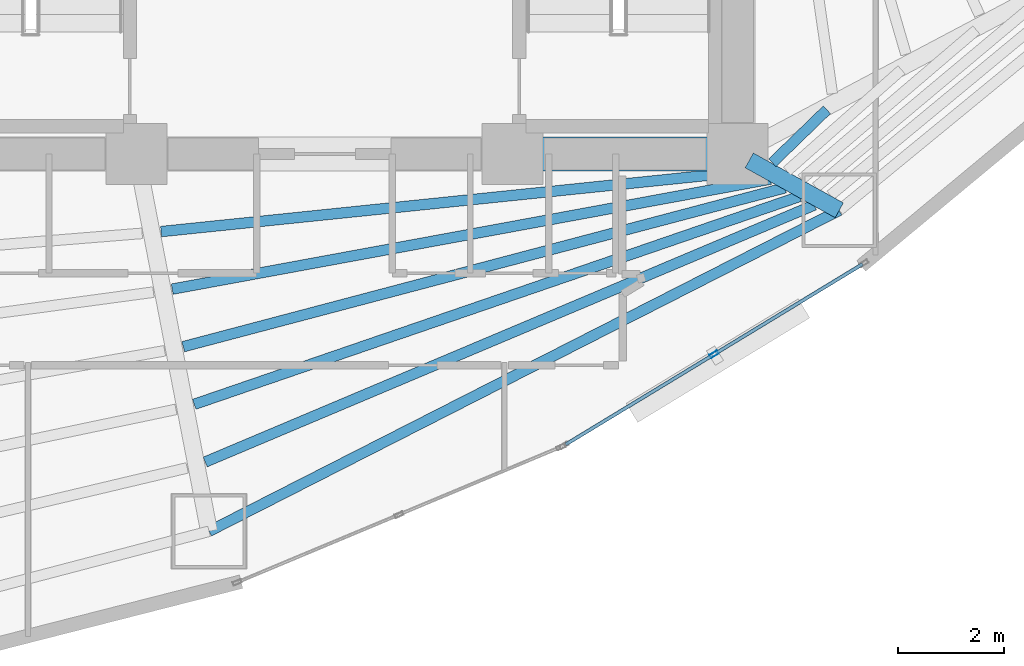
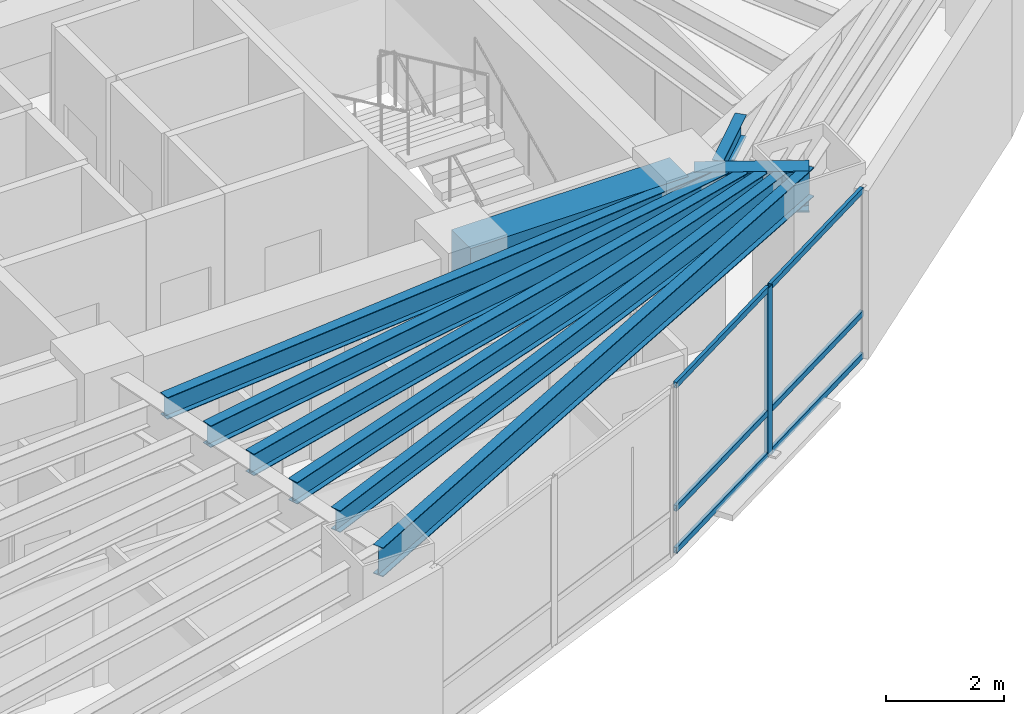
# One storey, part 5 of 17: 9 beams, 7 members, 1 element without a shape of its own.
"""IFC4 building model written with IfcOpenShell, lengths in metres."""

from ifc_helpers import new_model, si_unit, direction, frame, origin, origin_2d, place, context, subcontext, project, spatial, rectangle, hollow_rectangle, i_section, extrude, material, layer, layer_set, material_profile, profile_set, type_object, element, aggregate, save


model = new_model("IFC4")

# Units and contexts
model_context = context("Model", 3, precision=1e-05, world=origin(), true_north=direction((0.0, 1.0)))
body_context = subcontext(model_context, "Body", "Model", "MODEL_VIEW")
ifc_project = project(units=[si_unit("LENGTHUNIT", "METRE"), si_unit("AREAUNIT", "SQUARE_METRE"), si_unit("VOLUMEUNIT", "CUBIC_METRE"), si_unit("PLANEANGLEUNIT", "RADIAN"), si_unit("MASSUNIT", "GRAM", prefix="KILO")], contexts=[model_context])

# Site, building, storey
site_placement = place(None, origin())
site = spatial("IfcSite", under=ifc_project, at=site_placement, CompositionType="ELEMENT")
building_placement = place(site_placement, origin())
building = spatial("IfcBuilding", under=site, at=building_placement, Name="Menara Vayukalpa", CompositionType="ELEMENT")
storey_placement = place(building_placement, frame((0.0, 0.0, 49.919921875)))
storey = spatial("IfcBuildingStorey", under=building, at=storey_placement, Name="L11", CompositionType="ELEMENT", Elevation=49.919921875)

# Beams
ifc_material_1 = material(Name="Concrete C60/75", Category="concrete")
ifc_material_profile_1 = material_profile(ifc_material_1, rectangle(XDim=0.64990234375, YDim=0.85009765625, at=origin_2d()), Name="RC 650x850")
ifc_profile_set_1 = profile_set([ifc_material_profile_1], Name="Concrete C60/75")
beam_type_1 = type_object("IfcBeamType", Name="BM-CB1", PredefinedType="BEAM", material=ifc_profile_set_1)
beam_1_placement = place(storey_placement, frame((29.14990234375, 17.199951171875, 3.045166015625), z_axis=(1.0, 0.0, 0.0), x_axis=(0.0, 1.0, 0.0)))
element("IfcBeam", 1, at=beam_1_placement, inside=storey, type_object=beam_type_1, Name="L11 Core Tie Beam CBR3", PredefinedType="BEAM", context=body_context, shape_type="SweptSolid", body=[
    extrude(rectangle(XDim=0.64990234375, YDim=0.85009765625, at=origin_2d()), origin(), (0.0, 0.0, 1.0), 4.25),
])
ifc_material_2 = material(Name="Steel S355", Category="steel")
ifc_material_profile_2 = material_profile(ifc_material_2, i_section(OverallWidth=0.320068359375, OverallDepth=0.85009765625, WebThickness=0.01611328125, FlangeThickness=0.030029296875, at=origin_2d()), Name="WF 850x320x16x30")
ifc_profile_set_2 = profile_set([ifc_material_profile_2], Name="Steel S355")
beam_type_2 = type_object("IfcBeamType", Name="BM-PG2", PredefinedType="BEAM", material=ifc_profile_set_2)
beam_2_placement = place(storey_placement, frame((33.61865234375, 17.078857421875, 3.045166015625), z_axis=(0.87459548214, -0.484853320727, 0.0), x_axis=(0.484853320727, 0.87459548214, 0.0)))
element("IfcBeam", 2, at=beam_2_placement, inside=storey, type_object=beam_type_2, Name="L11 Primary Radial Girder RG09", PredefinedType="BEAM", context=body_context, shape_type="SweptSolid", body=[
    extrude(i_section(OverallWidth=0.320068359375, OverallDepth=0.85009765625, WebThickness=0.01611328125, FlangeThickness=0.030029296875, at=origin_2d()), origin(), (0.0, 0.0, 1.0), 1.943115234375),
])
ifc_material_3 = material(Name="Steel S355", Category="steel")
ifc_material_profile_3 = material_profile(ifc_material_3, i_section(OverallWidth=0.199951171875, OverallDepth=0.449951171875, WebThickness=0.009033203125, FlangeThickness=0.013916015625, at=origin_2d()), Name="WF 450x200x9x14")
ifc_profile_set_3 = profile_set([ifc_material_profile_3], Name="Steel S355")
beam_type_3 = type_object("IfcBeamType", Name="BM-SJ1", PredefinedType="JOIST", material=ifc_profile_set_3)
beam_3_placement = place(storey_placement, frame((22.514404296875, 15.735107421875, 3.2451171875), z_axis=(0.994746828953, 0.102365747631, 0.0), x_axis=(-0.102365747631, 0.994746828953, 0.0)))
element("IfcBeam", 3, at=beam_3_placement, inside=storey, type_object=beam_type_3, Name="L11 Secondary Floor Joist SJ08-1", PredefinedType="JOIST", context=body_context, shape_type="SweptSolid", body=[
    extrude(i_section(OverallWidth=0.199951171875, OverallDepth=0.449951171875, WebThickness=0.009033203125, FlangeThickness=0.013916015625, at=origin_2d()), origin(), (0.0, 0.0, 1.0), 11.29052734375),
])
beam_4_placement = place(storey_placement, frame((22.723876953125, 14.648681640625, 3.2451171875), z_axis=(0.983504975359, 0.180881075419, 0.0), x_axis=(-0.180881075419, 0.983504975359, 0.0)))
element("IfcBeam", 4, at=beam_4_placement, inside=storey, type_object=beam_type_3, Name="L11 Secondary Floor Joist SJ08-2", PredefinedType="JOIST", context=body_context, shape_type="SweptSolid", body=[
    extrude(i_section(OverallWidth=0.199951171875, OverallDepth=0.449951171875, WebThickness=0.009033203125, FlangeThickness=0.013916015625, at=origin_2d()), origin(), (0.0, 0.0, 1.0), 11.48486328125),
])
beam_5_placement = place(storey_placement, frame((22.932373046875, 13.561767578125, 3.2451171875), z_axis=(0.966863757537, 0.255292918746, 0.0), x_axis=(-0.255292918746, 0.966863757537, 0.0)))
element("IfcBeam", 5, at=beam_5_placement, inside=storey, type_object=beam_type_3, Name="L11 Secondary Floor Joist SJ08-3", PredefinedType="JOIST", context=body_context, shape_type="SweptSolid", body=[
    extrude(i_section(OverallWidth=0.199951171875, OverallDepth=0.449951171875, WebThickness=0.009033203125, FlangeThickness=0.013916015625, at=origin_2d()), origin(), (0.0, 0.0, 1.0), 11.751220703125),
])
beam_6_placement = place(storey_placement, frame((23.14013671875, 12.473876953125, 3.2451171875), z_axis=(0.945794261669, 0.324766400038, 0.0), x_axis=(-0.324766400038, 0.945794261669, 0.0)))
element("IfcBeam", 6, at=beam_6_placement, inside=storey, type_object=beam_type_3, Name="L11 Secondary Floor Joist SJ08-4", PredefinedType="JOIST", context=body_context, shape_type="SweptSolid", body=[
    extrude(i_section(OverallWidth=0.199951171875, OverallDepth=0.449951171875, WebThickness=0.009033203125, FlangeThickness=0.013916015625, at=origin_2d()), origin(), (0.0, 0.0, 1.0), 12.0849609375),
])
beam_7_placement = place(storey_placement, frame((23.34716796875, 11.385009765625, 3.2451171875), z_axis=(0.921359344435, 0.38871192215, 0.0), x_axis=(-0.38871192215, 0.921359344435, 0.0)))
element("IfcBeam", 7, at=beam_7_placement, inside=storey, type_object=beam_type_3, Name="L11 Secondary Floor Joist SJ08-5", PredefinedType="JOIST", context=body_context, shape_type="SweptSolid", body=[
    extrude(i_section(OverallWidth=0.199951171875, OverallDepth=0.449951171875, WebThickness=0.009033203125, FlangeThickness=0.013916015625, at=origin_2d()), origin(), (0.0, 0.0, 1.0), 12.48046875),
])
beam_8_placement = place(storey_placement, frame((34.0537109375, 17.03466796875, 3.2451171875), z_axis=(0.717488193219, 0.696570665899, 0.0), x_axis=(-0.696570665899, 0.717488193219, 0.0)))
element("IfcBeam", 8, at=beam_8_placement, inside=storey, type_object=beam_type_3, Name="L11 Secondary Floor Joist SJ09-1", PredefinedType="JOIST", context=body_context, shape_type="SweptSolid", body=[
    extrude(i_section(OverallWidth=0.199951171875, OverallDepth=0.449951171875, WebThickness=0.009033203125, FlangeThickness=0.013916015625, at=origin_2d()), origin(), (0.0, 0.0, 1.0), 1.435546875),
])
ifc_material_4 = material(Name="Steel S355", Category="steel")
ifc_material_profile_4 = material_profile(ifc_material_4, i_section(OverallWidth=0.199951171875, OverallDepth=0.60009765625, WebThickness=0.010986328125, FlangeThickness=0.01708984375, at=origin_2d()), Name="WF 600x200x11x17")
ifc_profile_set_4 = profile_set([ifc_material_profile_4], Name="Steel S355")
beam_type_4 = type_object("IfcBeamType", Name="BM-SP1", PredefinedType="SPANDREL", material=ifc_profile_set_4)
beam_9_placement = place(storey_placement, frame((23.41943359375, 10.0771484375, 3.170166015625), z_axis=(0.891100743313, 0.453805536841, 0.0), x_axis=(-0.453805536841, 0.891100743313, 0.0)))
element("IfcBeam", 9, at=beam_9_placement, inside=storey, type_object=beam_type_4, Name="L11 Perimeter Spandrel Beam SP08", PredefinedType="SPANDREL", context=body_context, shape_type="SweptSolid", body=[
    extrude(i_section(OverallWidth=0.199951171875, OverallDepth=0.60009765625, WebThickness=0.010986328125, FlangeThickness=0.01708984375, at=origin_2d()), origin(), (0.0, 0.0, 1.0), 13.352783203125),
])

# Curtain wall, members
ifc_material_5 = material(Name="Anodised Terracotta Aluminium Alloy 6063-T6", Category="masonry")
ifc_layer = layer(ifc_material_5, 0.1650390625)
ifc_layer_set = layer_set([ifc_layer], Name="Anodised Terracotta Aluminium Alloy 6063-T6")
curtain_wall_type = type_object("IfcCurtainWallType", Name="CW-CW2", PredefinedType="USERDEFINED", material=ifc_layer_set)
curtain_wall_placement = place(storey_placement, origin())
curtain_wall = element("IfcCurtainWall", 10, at=curtain_wall_placement, inside=storey, type_object=curtain_wall_type, Name="L11 Low Rise Terracotta Ribbon Curtain Wall CW2 17", ObjectType="UNITISED", PredefinedType="USERDEFINED")
ifc_material_6 = material(Name="Anodised Terracotta Aluminium Alloy 6063-T6", Category="masonry")
ifc_material_profile_5 = material_profile(ifc_material_6, hollow_rectangle(XDim=0.070068359375, YDim=0.1650390625, WallThickness=0.00390625, at=origin_2d()), Name="ALU 70x165x4")
ifc_profile_set_5 = profile_set([ifc_material_profile_5], Name="Anodised Terracotta Aluminium Alloy 6063-T6")
member_type_1 = type_object("IfcMemberType", Name="CWM-CW2", PredefinedType="MULLION", material=ifc_profile_set_5)
member_1_placement = place(storey_placement, frame((32.9560546875, 13.418701171875, 0.0), z_axis=(0.0, 0.0, 1.0), x_axis=(-0.519181964377, 0.854663727945, 0.0)))
member_1 = element("IfcMember", 11, at=member_1_placement, type_object=member_type_1, Name="CW2 mullion 2", PredefinedType="MULLION", context=body_context, shape_type="SweptSolid", body=[
    extrude(hollow_rectangle(XDim=0.070068359375, YDim=0.1650390625, WallThickness=0.00390625, at=origin_2d()), origin(), (0.0, 0.0, 1.0), 3.469970703125),
])
ifc_material_7 = material(Name="Anodised Terracotta Aluminium Alloy 6063-T6", Category="masonry")
ifc_material_profile_6 = material_profile(ifc_material_7, hollow_rectangle(XDim=0.06494140625, YDim=0.1201171875, WallThickness=0.00341796875, at=origin_2d()), Name="ALU 65x120x3.5")
ifc_profile_set_6 = profile_set([ifc_material_profile_6], Name="Anodised Terracotta Aluminium Alloy 6063-T6")
member_type_2 = type_object("IfcMemberType", Name="CWT-CW2", PredefinedType="USERDEFINED", material=ifc_profile_set_6)
member_2_placement = place(storey_placement, frame((30.155029296875, 11.717041015625, 0.032470703125), z_axis=(0.854676552714, 0.519160851992, 0.0), x_axis=(-0.519160851992, 0.854676552714, 0.0)))
member_2 = element("IfcMember", 12, at=member_2_placement, type_object=member_type_2, Name="CW2 transom 1.1", ObjectType="TRANSOM", PredefinedType="USERDEFINED", context=body_context, shape_type="SweptSolid", body=[
    extrude(hollow_rectangle(XDim=0.06494140625, YDim=0.1201171875, WallThickness=0.00341796875, at=origin_2d()), origin(), (0.0, 0.0, 1.0), 3.242431640625),
])
member_3_placement = place(storey_placement, frame((30.155029296875, 11.717041015625, 0.900146484375), z_axis=(0.854676552714, 0.519160851992, 0.0), x_axis=(-0.519160851992, 0.854676552714, 0.0)))
member_3 = element("IfcMember", 13, at=member_3_placement, type_object=member_type_2, Name="CW2 transom 1.2", ObjectType="TRANSOM", PredefinedType="USERDEFINED", context=body_context, shape_type="SweptSolid", body=[
    extrude(hollow_rectangle(XDim=0.06494140625, YDim=0.1201171875, WallThickness=0.00341796875, at=origin_2d()), origin(), (0.0, 0.0, 1.0), 3.242431640625),
])
member_4_placement = place(storey_placement, frame((30.155029296875, 11.717041015625, 3.4375), z_axis=(0.854676552714, 0.519160851992, 0.0), x_axis=(-0.519160851992, 0.854676552714, 0.0)))
member_4 = element("IfcMember", 14, at=member_4_placement, type_object=member_type_2, Name="CW2 transom 1.3", ObjectType="TRANSOM", PredefinedType="USERDEFINED", context=body_context, shape_type="SweptSolid", body=[
    extrude(hollow_rectangle(XDim=0.06494140625, YDim=0.1201171875, WallThickness=0.00341796875, at=origin_2d()), origin(), (0.0, 0.0, 1.0), 3.242431640625),
])
member_5_placement = place(storey_placement, frame((32.986083984375, 13.436767578125, 0.032470703125), z_axis=(0.854643142641, 0.519215849851, 0.0), x_axis=(-0.519215849851, 0.854643142641, 0.0)))
member_5 = element("IfcMember", 15, at=member_5_placement, type_object=member_type_2, Name="CW2 transom 2.1", ObjectType="TRANSOM", PredefinedType="USERDEFINED", context=body_context, shape_type="SweptSolid", body=[
    extrude(hollow_rectangle(XDim=0.06494140625, YDim=0.1201171875, WallThickness=0.00341796875, at=origin_2d()), origin(), (0.0, 0.0, 1.0), 3.24267578125),
])
member_6_placement = place(storey_placement, frame((32.986083984375, 13.436767578125, 0.900146484375), z_axis=(0.854643142641, 0.519215849851, 0.0), x_axis=(-0.519215849851, 0.854643142641, 0.0)))
member_6 = element("IfcMember", 16, at=member_6_placement, type_object=member_type_2, Name="CW2 transom 2.2", ObjectType="TRANSOM", PredefinedType="USERDEFINED", context=body_context, shape_type="SweptSolid", body=[
    extrude(hollow_rectangle(XDim=0.06494140625, YDim=0.1201171875, WallThickness=0.00341796875, at=origin_2d()), origin(), (0.0, 0.0, 1.0), 3.24267578125),
])
member_7_placement = place(storey_placement, frame((32.986083984375, 13.436767578125, 3.4375), z_axis=(0.854643142641, 0.519215849851, 0.0), x_axis=(-0.519215849851, 0.854643142641, 0.0)))
member_7 = element("IfcMember", 17, at=member_7_placement, type_object=member_type_2, Name="CW2 transom 2.3", ObjectType="TRANSOM", PredefinedType="USERDEFINED", context=body_context, shape_type="SweptSolid", body=[
    extrude(hollow_rectangle(XDim=0.06494140625, YDim=0.1201171875, WallThickness=0.00341796875, at=origin_2d()), origin(), (0.0, 0.0, 1.0), 3.24267578125),
])
aggregate(curtain_wall, [member_1, member_2, member_3, member_4, member_5, member_6, member_7])

save(model, "model.ifc")
